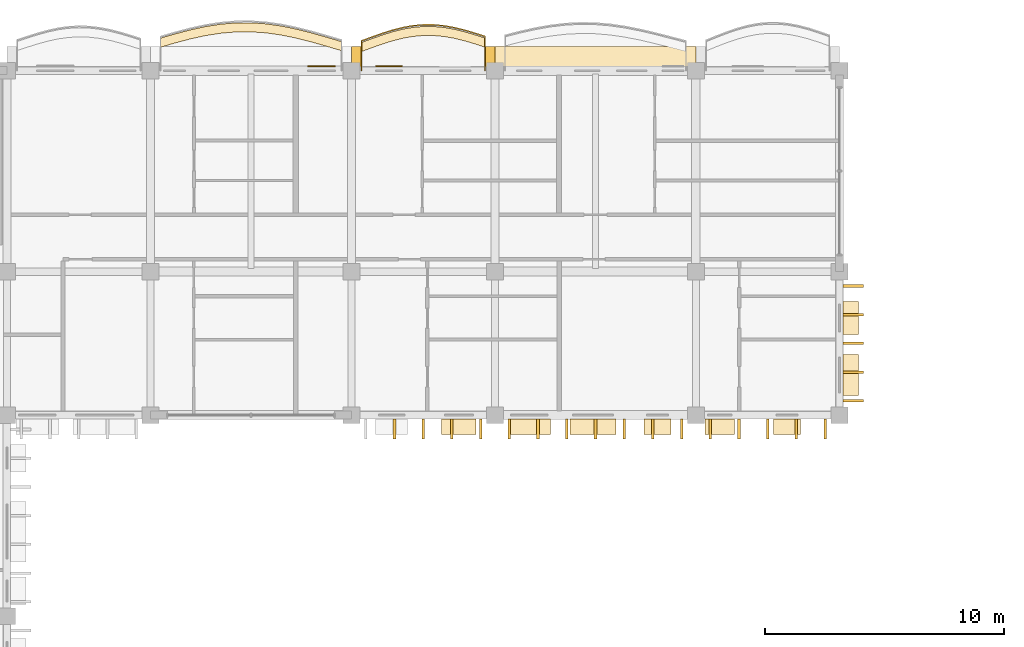
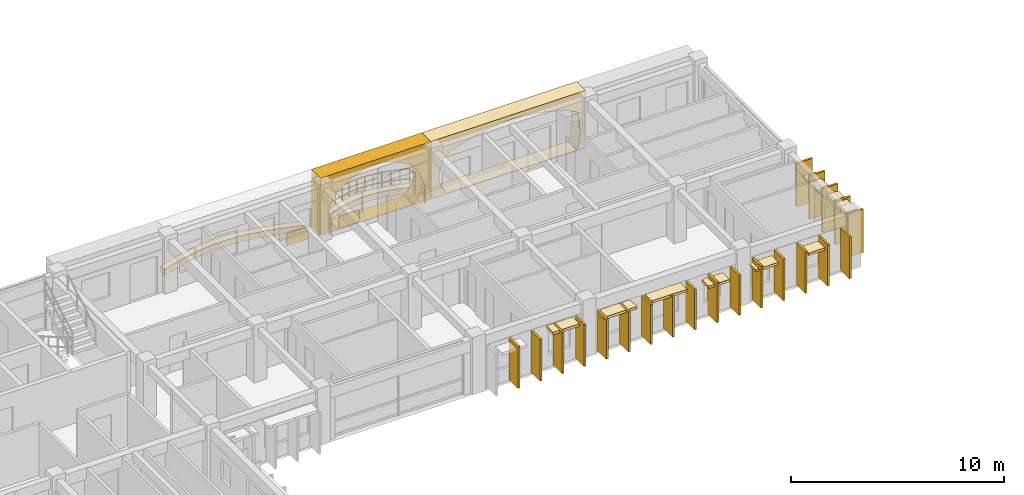
# One storey, part 59 of 76: 35 coverings, 1 railing.
"""IFC4 building model written with IfcOpenShell, lengths in metres."""

from ifc_helpers import new_model, si_unit, direction, frame, origin, origin_2d, place, context, subcontext, project, spatial, polyline, rectangle, outline, extrude, material, layer, layer_set, type_object, element, save


model = new_model("IFC4")

# Units and contexts
model_context = context("Model", 3, precision=1e-05, world=origin(), true_north=direction((0.0, 1.0)))
body_context = subcontext(model_context, "Body", "Model", "MODEL_VIEW")
ifc_project = project(units=[si_unit("LENGTHUNIT", "METRE"), si_unit("AREAUNIT", "SQUARE_METRE"), si_unit("VOLUMEUNIT", "CUBIC_METRE"), si_unit("PLANEANGLEUNIT", "RADIAN"), si_unit("MASSUNIT", "GRAM", prefix="KILO"), si_unit("THERMODYNAMICTEMPERATUREUNIT", "KELVIN")], contexts=[model_context])

# Site, building, storey
site_placement = place(None, origin())
site = spatial("IfcSite", under=ifc_project, at=site_placement, CompositionType="ELEMENT")
building_placement = place(site_placement, origin())
building = spatial("IfcBuilding", under=site, at=building_placement, Name="Thalorik Housing Commons", CompositionType="ELEMENT")
storey_placement = place(building_placement, frame((0.0, 0.0, 18.0)))
storey = spatial("IfcBuildingStorey", under=building, at=storey_placement, Name="L05", CompositionType="ELEMENT", Elevation=18.0)

# Coverings
ifc_material_1 = material(Name="Cobalt blue glazed ceramic facade tile panel", Category="masonry")
ifc_layer_1 = layer(ifc_material_1, 0.06005859375, Name="Cobalt blue glazed ceramic facade tile panel", Category="masonry")
ifc_layer_set_1 = layer_set([ifc_layer_1], Name="Cobalt blue glazed ceramic facade tile panel")
covering_type_1 = type_object("IfcCoveringType", Name="ARC-CLD-BLU-60", PredefinedType="CLADDING", material=ifc_layer_set_1)
covering_1_placement = place(storey_placement, frame((35.93994140625, 123.78759765625, 0.0498046875), z_axis=(0.0, 0.0, 1.0), x_axis=(-1.0, 0.0, 0.0)))
element("IfcCovering", 1, at=covering_1_placement, inside=storey, type_object=covering_type_1, Name="L05 De Stijl Recessed Window Spandrel 558", PredefinedType="CLADDING", context=body_context, shape_type="SweptSolid", body=[
    extrude(rectangle(XDim=1.14990234375, YDim=0.06005859375, at=origin_2d()), origin(), (0.0, 0.0, 1.0), 0.699951171875),
])
ifc_material_2 = material(Name="Precast concrete C40/50", Category="concrete")
ifc_layer_2 = layer(ifc_material_2, 0.85009765625, Name="Precast concrete C40/50", Category="concrete")
ifc_layer_set_2 = layer_set([ifc_layer_2], Name="Precast concrete C40/50")
covering_type_2 = type_object("IfcCoveringType", Name="ARC-CLD-CUSH-850", PredefinedType="CLADDING", material=ifc_layer_set_2)
covering_2_placement = place(storey_placement, frame((47.39990234375, 124.177490234375, 0.0), z_axis=(0.0, 0.0, 1.0), x_axis=(-1.0, 0.0, 0.0)))
element("IfcCovering", 2, at=covering_2_placement, inside=storey, type_object=covering_type_2, Name="L05 White Precast Curved Cushion Bay Frame 553", PredefinedType="CLADDING", context=body_context, shape_type="SweptSolid", body=[
    extrude(outline(polyline([(-4.199951171875, 0.0), (4.199951171875, 0.0), (4.199951171875, 3.300048828125), (-4.199951171875, 3.300048828125), (-4.199951171875, 0.0)]), holes=[polyline([(3.340087890625, 0.02490234375), (3.56787109375, 0.394287109375), (3.704345703125, 0.76318359375), (3.75, 1.132568359375), (3.704345703125, 1.501708984375), (3.56787109375, 1.870849609375), (3.340087890625, 2.239990234375), (2.749755859375, 2.4833984375), (2.159423828125, 2.6748046875), (1.569091796875, 2.82958984375), (0.97900390625, 2.94482421875), (0.388671875, 3.01611328125), (-0.20166015625, 3.0400390625), (-0.7919921875, 3.01611328125), (-1.38232421875, 2.94482421875), (-1.97265625, 2.82958984375), (-2.562744140625, 2.6748046875), (-3.153076171875, 2.4833984375), (-3.743408203125, 2.239990234375), (-3.83984375, 1.870849609375), (-3.897705078125, 1.501708984375), (-3.9169921875, 1.132568359375), (-3.897705078125, 0.76318359375), (-3.83984375, 0.394287109375), (-3.743408203125, 0.02490234375), (3.340087890625, 0.02490234375)])]), frame((0.0, 0.425048828125, 0.0), z_axis=(0.0, -1.0, 0.0), x_axis=(1.0, 0.0, 0.0)), (0.0, 0.0, 1.0), 0.85009765625),
])
covering_3_placement = place(storey_placement, frame((40.199951171875, 124.177490234375, 0.0), z_axis=(0.0, 0.0, 1.0), x_axis=(-1.0, 0.0, 0.0)))
element("IfcCovering", 3, at=covering_3_placement, inside=storey, type_object=covering_type_2, Name="L05 White Precast Curved Cushion Bay Frame 555", PredefinedType="CLADDING", context=body_context, shape_type="SweptSolid", body=[
    extrude(outline(polyline([(-3.0, 0.0), (3.0, 0.0), (3.0, 3.300048828125), (-3.0, 3.300048828125), (-3.0, 0.0)]), holes=[polyline([(2.0400390625, 0.02490234375), (2.3232421875, 0.387451171875), (2.493408203125, 0.75), (2.550048828125, 1.112548828125), (2.493408203125, 1.47509765625), (2.3232421875, 1.83740234375), (2.0400390625, 2.199951171875), (1.699951171875, 2.455810546875), (1.360107421875, 2.656494140625), (1.02001953125, 2.819091796875), (0.679931640625, 2.940185546875), (0.340087890625, 3.014892578125), (0.0, 3.0400390625), (-0.340087890625, 3.014892578125), (-0.679931640625, 2.940185546875), (-1.02001953125, 2.819091796875), (-1.360107421875, 2.656494140625), (-1.699951171875, 2.455810546875), (-2.0400390625, 2.199951171875), (-2.3232421875, 1.83740234375), (-2.493408203125, 1.47509765625), (-2.550048828125, 1.112548828125), (-2.493408203125, 0.75), (-2.3232421875, 0.387451171875), (-2.0400390625, 0.02490234375), (2.0400390625, 0.02490234375)])]), frame((0.0, 0.425048828125, 0.0), z_axis=(0.0, -1.0, 0.0), x_axis=(1.0, 0.0, 0.0)), (0.0, 0.0, 1.0), 0.85009765625),
])
ifc_layer_3 = layer(ifc_material_2, 0.85009765625, Name="Precast concrete C40/50", Category="concrete")
ifc_layer_set_3 = layer_set([ifc_layer_3], Name="Precast concrete C40/50")
covering_type_3 = type_object("IfcCoveringType", Name="ARC-CLD-FIN-850", PredefinedType="CLADDING", material=ifc_layer_set_3)
for number, where, z_axis, x_axis, name in (
    (4, (39.0, 108.62255859375, 0.0400390625), (0.0, 0.0, 1.0), (1.0, 0.0, 0.0), "L05 Courtyard Precast Vertical Brise-Soleil Fin 521"),
    (5, (40.199951171875, 108.62255859375, 0.0400390625), (0.0, 0.0, 1.0), (1.0, 0.0, 0.0), "L05 Courtyard Precast Vertical Brise-Soleil Fin 522"),
    (6, (41.39990234375, 108.62255859375, 0.0400390625), (0.0, 0.0, 1.0), (1.0, 0.0, 0.0), "L05 Courtyard Precast Vertical Brise-Soleil Fin 523"),
    (7, (42.60009765625, 108.62255859375, 0.0400390625), (0.0, 0.0, 1.0), (1.0, 0.0, 0.0), "L05 Courtyard Precast Vertical Brise-Soleil Fin 524"),
):
    element("IfcCovering", number, at=place(storey_placement, frame(where, z_axis=z_axis, x_axis=x_axis)), inside=storey, type_object=covering_type_3, Name=name, PredefinedType="CLADDING", context=body_context, shape_type="SweptSolid", body=[
        extrude(rectangle(XDim=0.110107421875, YDim=0.85009765625, at=origin_2d()), origin(), (0.0, 0.0, 1.0), 2.39501953125),
    ])
for number, where, z_axis, x_axis, name in (
    (8, (43.800048828125, 108.62255859375, 0.0400390625), (0.0, 0.0, 1.0), (1.0, 0.0, 0.0), "L05 Courtyard Precast Vertical Brise-Soleil Fin 527"),
    (9, (45.0, 108.62255859375, 0.0400390625), (0.0, 0.0, 1.0), (1.0, 0.0, 0.0), "L05 Courtyard Precast Vertical Brise-Soleil Fin 528"),
    (10, (46.199951171875, 108.62255859375, 0.0400390625), (0.0, 0.0, 1.0), (1.0, 0.0, 0.0), "L05 Courtyard Precast Vertical Brise-Soleil Fin 529"),
    (11, (47.39990234375, 108.62255859375, 0.0400390625), (0.0, 0.0, 1.0), (1.0, 0.0, 0.0), "L05 Courtyard Precast Vertical Brise-Soleil Fin 530"),
    (12, (48.60009765625, 108.62255859375, 0.0400390625), (0.0, 0.0, 1.0), (1.0, 0.0, 0.0), "L05 Courtyard Precast Vertical Brise-Soleil Fin 531"),
    (13, (49.800048828125, 108.62255859375, 0.0400390625), (0.0, 0.0, 1.0), (1.0, 0.0, 0.0), "L05 Courtyard Precast Vertical Brise-Soleil Fin 532"),
    (14, (51.0, 108.62255859375, 0.0400390625), (0.0, 0.0, 1.0), (1.0, 0.0, 0.0), "L05 Courtyard Precast Vertical Brise-Soleil Fin 533"),
):
    element("IfcCovering", number, at=place(storey_placement, frame(where, z_axis=z_axis, x_axis=x_axis)), inside=storey, type_object=covering_type_3, Name=name, PredefinedType="CLADDING", context=body_context, shape_type="SweptSolid", body=[
        extrude(rectangle(XDim=0.110107421875, YDim=0.85009765625, at=origin_2d()), origin(), (0.0, 0.0, 1.0), 2.294921875),
    ])
for number, where, z_axis, x_axis, name in (
    (15, (52.199951171875, 108.62255859375, 0.0400390625), (0.0, 0.0, 1.0), (1.0, 0.0, 0.0), "L05 Courtyard Precast Vertical Brise-Soleil Fin 537"),
    (16, (53.39990234375, 108.62255859375, 0.0400390625), (0.0, 0.0, 1.0), (1.0, 0.0, 0.0), "L05 Courtyard Precast Vertical Brise-Soleil Fin 538"),
    (17, (54.60009765625, 108.62255859375, 0.0400390625), (0.0, 0.0, 1.0), (1.0, 0.0, 0.0), "L05 Courtyard Precast Vertical Brise-Soleil Fin 539"),
    (18, (55.800048828125, 108.62255859375, 0.0400390625), (0.0, 0.0, 1.0), (1.0, 0.0, 0.0), "L05 Courtyard Precast Vertical Brise-Soleil Fin 540"),
    (19, (57.0, 108.62255859375, 0.0400390625), (0.0, 0.0, 1.0), (1.0, 0.0, 0.0), "L05 Courtyard Precast Vertical Brise-Soleil Fin 541"),
):
    element("IfcCovering", number, at=place(storey_placement, frame(where, z_axis=z_axis, x_axis=x_axis)), inside=storey, type_object=covering_type_3, Name=name, PredefinedType="CLADDING", context=body_context, shape_type="SweptSolid", body=[
        extrude(rectangle(XDim=0.110107421875, YDim=0.85009765625, at=origin_2d()), origin(), (0.0, 0.0, 1.0), 2.39501953125),
    ])
for number, where, z_axis, x_axis, name in (
    (20, (58.177490234375, 109.800048828125, 0.0400390625), (0.0, 0.0, 1.0), (0.0, 1.0, 0.0), "L05 Courtyard Precast Vertical Brise-Soleil Fin 544"),
    (21, (58.177490234375, 111.0, 0.0400390625), (0.0, 0.0, 1.0), (0.0, 1.0, 0.0), "L05 Courtyard Precast Vertical Brise-Soleil Fin 545"),
    (22, (58.177490234375, 112.199951171875, 0.0400390625), (0.0, 0.0, 1.0), (0.0, 1.0, 0.0), "L05 Courtyard Precast Vertical Brise-Soleil Fin 546"),
    (23, (58.177490234375, 113.39990234375, 0.0400390625), (0.0, 0.0, 1.0), (0.0, 1.0, 0.0), "L05 Courtyard Precast Vertical Brise-Soleil Fin 547"),
    (24, (58.177490234375, 114.60009765625, 0.0400390625), (0.0, 0.0, 1.0), (0.0, 1.0, 0.0), "L05 Courtyard Precast Vertical Brise-Soleil Fin 548"),
):
    element("IfcCovering", number, at=place(storey_placement, frame(where, z_axis=z_axis, x_axis=x_axis)), inside=storey, type_object=covering_type_3, Name=name, PredefinedType="CLADDING", context=body_context, shape_type="SweptSolid", body=[
        extrude(rectangle(XDim=0.110107421875, YDim=0.85009765625, at=origin_2d()), origin(), (0.0, 0.0, 1.0), 2.4951171875),
    ])
ifc_layer_4 = layer(ifc_material_2, 0.64990234375, Name="Precast concrete C40/50", Category="concrete")
ifc_layer_set_4 = layer_set([ifc_layer_4], Name="Precast concrete C40/50")
covering_type_4 = type_object("IfcCoveringType", Name="ARC-CLD-HOOD-650", PredefinedType="CLADDING", material=ifc_layer_set_4)
covering_4_placement = place(storey_placement, frame((41.6923828125, 108.722412109375, 2.2900390625), z_axis=(0.0, 0.0, 1.0), x_axis=(1.0, 0.0, 0.0)))
element("IfcCovering", 25, at=covering_4_placement, inside=storey, type_object=covering_type_4, Name="L05 Courtyard Precast Window Sun-Hood 526", PredefinedType="CLADDING", context=body_context, shape_type="SweptSolid", body=[
    extrude(rectangle(XDim=1.43994140625, YDim=0.64990234375, at=origin_2d()), origin(), (0.0, 0.0, 1.0), 0.139892578125),
])
covering_5_placement = place(storey_placement, frame((44.635009765625, 108.722412109375, 2.18994140625), z_axis=(0.0, 0.0, 1.0), x_axis=(1.0, 0.0, 0.0)))
element("IfcCovering", 26, at=covering_5_placement, inside=storey, type_object=covering_type_4, Name="L05 Courtyard Precast Window Sun-Hood 534", PredefinedType="CLADDING", context=body_context, shape_type="SweptSolid", body=[
    extrude(rectangle(XDim=1.7900390625, YDim=0.64990234375, at=origin_2d()), origin(), (0.0, 0.0, 1.0), 0.139892578125),
])
covering_6_placement = place(storey_placement, frame((47.297607421875, 108.722412109375, 2.22509765625), z_axis=(0.0, 0.0, 1.0), x_axis=(1.0, 0.0, 0.0)))
element("IfcCovering", 27, at=covering_6_placement, inside=storey, type_object=covering_type_4, Name="L05 Courtyard Precast Window Sun-Hood 535", PredefinedType="CLADDING", context=body_context, shape_type="SweptSolid", body=[
    extrude(rectangle(XDim=1.919921875, YDim=0.64990234375, at=origin_2d()), origin(), (0.0, 0.0, 1.0), 0.139892578125),
])
covering_7_placement = place(storey_placement, frame((49.992431640625, 108.722412109375, 1.990234375), z_axis=(0.0, 0.0, 1.0), x_axis=(1.0, 0.0, 0.0)))
element("IfcCovering", 28, at=covering_7_placement, inside=storey, type_object=covering_type_4, Name="L05 Courtyard Precast Window Sun-Hood 536", PredefinedType="CLADDING", context=body_context, shape_type="SweptSolid", body=[
    extrude(rectangle(XDim=1.139892578125, YDim=0.64990234375, at=origin_2d()), origin(), (0.0, 0.0, 1.0), 0.139892578125),
])
covering_8_placement = place(storey_placement, frame((52.60009765625, 108.722412109375, 2.0400390625), z_axis=(0.0, 0.0, 1.0), x_axis=(1.0, 0.0, 0.0)))
element("IfcCovering", 29, at=covering_8_placement, inside=storey, type_object=covering_type_4, Name="L05 Courtyard Precast Window Sun-Hood 542", PredefinedType="CLADDING", context=body_context, shape_type="SweptSolid", body=[
    extrude(rectangle(XDim=1.239990234375, YDim=0.64990234375, at=origin_2d()), origin(), (0.0, 0.0, 1.0), 0.139892578125),
])
covering_9_placement = place(storey_placement, frame((55.409912109375, 108.722412109375, 1.990234375), z_axis=(0.0, 0.0, 1.0), x_axis=(1.0, 0.0, 0.0)))
element("IfcCovering", 30, at=covering_9_placement, inside=storey, type_object=covering_type_4, Name="L05 Courtyard Precast Window Sun-Hood 543", PredefinedType="CLADDING", context=body_context, shape_type="SweptSolid", body=[
    extrude(rectangle(XDim=1.139892578125, YDim=0.64990234375, at=origin_2d()), origin(), (0.0, 0.0, 1.0), 0.139892578125),
])
covering_10_placement = place(storey_placement, frame((58.077392578125, 110.87548828125, 2.31005859375), z_axis=(0.0, 0.0, 1.0), x_axis=(0.0, 1.0, 0.0)))
element("IfcCovering", 31, at=covering_10_placement, inside=storey, type_object=covering_type_4, Name="L05 Courtyard Precast Window Sun-Hood 549", PredefinedType="CLADDING", context=body_context, shape_type="SweptSolid", body=[
    extrude(rectangle(XDim=1.719970703125, YDim=0.64990234375, at=origin_2d()), origin(), (0.0, 0.0, 1.0), 0.139892578125),
])
covering_11_placement = place(storey_placement, frame((58.077392578125, 113.26513671875, 2.0400390625), z_axis=(0.0, 0.0, 1.0), x_axis=(0.0, 1.0, 0.0)))
element("IfcCovering", 32, at=covering_11_placement, inside=storey, type_object=covering_type_4, Name="L05 Courtyard Precast Window Sun-Hood 550", PredefinedType="CLADDING", context=body_context, shape_type="SweptSolid", body=[
    extrude(rectangle(XDim=1.389892578125, YDim=0.64990234375, at=origin_2d()), origin(), (0.0, 0.0, 1.0), 0.139892578125),
])
ifc_material_3 = material(Name="Terracotta red mineral fibre-cement panel", Category="masonry")
ifc_layer_5 = layer(ifc_material_3, 0.054931640625, Name="Terracotta red mineral fibre-cement panel", Category="masonry")
ifc_layer_set_5 = layer_set([ifc_layer_5], Name="Terracotta red mineral fibre-cement panel")
covering_type_5 = type_object("IfcCoveringType", Name="ARC-CLD-RED-55", PredefinedType="CLADDING", material=ifc_layer_set_5)
covering_12_placement = place(storey_placement, frame((38.7724609375, 123.784912109375, 0.0498046875), z_axis=(0.0, 0.0, 1.0), x_axis=(-1.0, 0.0, 0.0)))
element("IfcCovering", 33, at=covering_12_placement, inside=storey, type_object=covering_type_5, Name="L05 De Stijl Recessed Window Spandrel 556", PredefinedType="CLADDING", context=body_context, shape_type="SweptSolid", body=[
    extrude(rectangle(XDim=1.10009765625, YDim=0.054931640625, at=origin_2d()), origin(), (0.0, 0.0, 1.0), 0.699951171875),
])
ifc_material_4 = material(Name="Planted vegetated substrate and terracotta trough", Category="masonry")
ifc_layer_6 = layer(ifc_material_4, 0.340087890625, Name="Planted vegetated substrate and terracotta trough", Category="masonry")
ifc_layer_set_6 = layer_set([ifc_layer_6], Name="Planted vegetated substrate and terracotta trough")
covering_type_6 = type_object("IfcCoveringType", Name="ARC-COV-PLANTER", PredefinedType="USERDEFINED", material=ifc_layer_set_6)
covering_13_placement = place(storey_placement, origin())
element("IfcCovering", 34, at=covering_13_placement, inside=storey, type_object=covering_type_6, Name="L05 Balcony Slab-Edge Planted Trough 5348", ObjectType="PLANTER", PredefinedType="USERDEFINED", context=body_context, shape_type="SweptSolid", body=[
    extrude(outline(polyline([(36.780029296875, 124.8193359375), (36.14990234375, 125.0048828125), (35.52001953125, 125.183349609375), (34.889892578125, 125.342529296875), (34.260009765625, 125.4716796875), (33.6298828125, 125.561279296875), (33.0, 125.60546875), (32.3701171875, 125.6005859375), (31.739990234375, 125.54736328125), (31.110107421875, 125.448974609375), (30.47998046875, 125.3125), (29.85009765625, 125.14697265625), (29.219970703125, 124.9638671875), (29.219970703125, 124.583740234375), (29.85009765625, 124.766845703125), (30.47998046875, 124.932373046875), (31.110107421875, 125.069091796875), (31.739990234375, 125.16748046875), (32.3701171875, 125.220703125), (33.0, 125.225341796875), (33.6298828125, 125.181396484375), (34.260009765625, 125.091796875), (34.889892578125, 124.962646484375), (35.52001953125, 124.80322265625), (36.14990234375, 124.624755859375), (36.780029296875, 124.439453125), (36.780029296875, 124.8193359375)])), origin(), (0.0, 0.0, 1.0), 0.340087890625),
])
covering_14_placement = place(storey_placement, origin())
element("IfcCovering", 35, at=covering_14_placement, inside=storey, type_object=covering_type_6, Name="L05 Balcony Slab-Edge Planted Trough 5349", ObjectType="PLANTER", PredefinedType="USERDEFINED", context=body_context, shape_type="SweptSolid", body=[
    extrude(outline(polyline([(42.780029296875, 124.96630859375), (42.35009765625, 125.105224609375), (41.919921875, 125.231689453125), (41.489990234375, 125.33642578125), (41.06005859375, 125.411376953125), (40.6298828125, 125.450927734375), (40.199951171875, 125.451416015625), (39.77001953125, 125.41259765625), (39.340087890625, 125.3359375), (38.909912109375, 125.226318359375), (38.47998046875, 125.09130859375), (38.050048828125, 124.939208984375), (37.6201171875, 124.780517578125), (37.6201171875, 124.400390625), (38.050048828125, 124.55908203125), (38.47998046875, 124.711181640625), (38.909912109375, 124.846435546875), (39.340087890625, 124.955810546875), (39.77001953125, 125.032470703125), (40.199951171875, 125.071533203125), (40.6298828125, 125.07080078125), (41.06005859375, 125.031494140625), (41.489990234375, 124.956298828125), (41.919921875, 124.851806640625), (42.35009765625, 124.725341796875), (42.780029296875, 124.58642578125), (42.780029296875, 124.96630859375)])), origin(), (0.0, 0.0, 1.0), 0.340087890625),
])

# Railing
ifc_material_5 = material(Name="Steel S355", Category="steel")
railing_type = type_object("IfcRailingType", Name="ARC-RL-BAL-115", PredefinedType="BALUSTRADE", material=ifc_material_5)
railing_placement = place(storey_placement, frame((42.780029296875, 123.60009765625, 0.0)))
element("IfcRailing", 36, at=railing_placement, inside=storey, type_object=railing_type, Name="L05 Cushion Balcony Guardrail 33", PredefinedType="BALUSTRADE", context=body_context, shape_type="SweptSolid", body=[
    extrude(rectangle(XDim=0.050048828125, YDim=0.050048828125, at=origin_2d()), frame((0.0, 0.0, 1.125), z_axis=(0.0, 1.0, 0.0), x_axis=(-1.0, 0.0, 0.0)), (0.0, 0.0, 1.0), 1.436279296875),
    extrude(rectangle(XDim=0.050048828125, YDim=0.050048828125, at=origin_2d()), frame((0.0, 0.0, 0.5498046875), z_axis=(0.0, 1.0, 0.0), x_axis=(-1.0, 0.0, 0.0)), (0.0, 0.0, 1.0), 1.436279296875),
    extrude(rectangle(XDim=0.050048828125, YDim=0.050048828125, at=origin_2d()), frame((0.0, 1.436279296875, 1.125), z_axis=(-0.951560814665, 0.307460592586, 0.0), x_axis=(-0.307460592586, -0.951560814665, 0.0)), (0.0, 0.0, 1.0), 0.451904296875),
    extrude(rectangle(XDim=0.050048828125, YDim=0.050048828125, at=origin_2d()), frame((0.0, 1.436279296875, 0.5498046875), z_axis=(-0.951560814665, 0.307460592586, 0.0), x_axis=(-0.307460592586, -0.951560814665, 0.0)), (0.0, 0.0, 1.0), 0.451904296875),
    extrude(rectangle(XDim=0.050048828125, YDim=0.050048828125, at=origin_2d()), frame((-0.429931640625, 1.5751953125, 1.125), z_axis=(-0.959400175534, 0.282048405747, 0.0), x_axis=(-0.282048405747, -0.959400175534, 0.0)), (0.0, 0.0, 1.0), 0.448486328125),
    extrude(rectangle(XDim=0.050048828125, YDim=0.050048828125, at=origin_2d()), frame((-0.429931640625, 1.5751953125, 0.5498046875), z_axis=(-0.959400175534, 0.282048405747, 0.0), x_axis=(-0.282048405747, -0.959400175534, 0.0)), (0.0, 0.0, 1.0), 0.448486328125),
    extrude(rectangle(XDim=0.050048828125, YDim=0.050048828125, at=origin_2d()), frame((-0.860107421875, 1.70166015625, 1.125), z_axis=(-0.971585356615, 0.236689448034, 0.0), x_axis=(-0.236689448034, -0.971585356615, 0.0)), (0.0, 0.0, 1.0), 0.442626953125),
    extrude(rectangle(XDim=0.050048828125, YDim=0.050048828125, at=origin_2d()), frame((-0.860107421875, 1.70166015625, 0.5498046875), z_axis=(-0.971585356615, 0.236689448034, 0.0), x_axis=(-0.236689448034, -0.971585356615, 0.0)), (0.0, 0.0, 1.0), 0.442626953125),
    extrude(rectangle(XDim=0.050048828125, YDim=0.050048828125, at=origin_2d()), frame((-1.2900390625, 1.806396484375, 1.125), z_axis=(-0.985141873648, 0.171742507217, 0.0), x_axis=(-0.171742507217, -0.985141873648, 0.0)), (0.0, 0.0, 1.0), 0.4365234375),
    extrude(rectangle(XDim=0.050048828125, YDim=0.050048828125, at=origin_2d()), frame((-1.2900390625, 1.806396484375, 0.5498046875), z_axis=(-0.985141873648, 0.171742507217, 0.0), x_axis=(-0.171742507217, -0.985141873648, 0.0)), (0.0, 0.0, 1.0), 0.4365234375),
    extrude(rectangle(XDim=0.050048828125, YDim=0.050048828125, at=origin_2d()), frame((-1.719970703125, 1.88134765625, 1.125), z_axis=(-0.99580003694, 0.09155482746, 0.0), x_axis=(-0.09155482746, -0.99580003694, 0.0)), (0.0, 0.0, 1.0), 0.431884765625),
    extrude(rectangle(XDim=0.050048828125, YDim=0.050048828125, at=origin_2d()), frame((-1.719970703125, 1.88134765625, 0.5498046875), z_axis=(-0.99580003694, 0.09155482746, 0.0), x_axis=(-0.09155482746, -0.99580003694, 0.0)), (0.0, 0.0, 1.0), 0.431884765625),
    extrude(rectangle(XDim=0.050048828125, YDim=0.050048828125, at=origin_2d()), frame((-2.150146484375, 1.9208984375, 1.125), z_axis=(-0.999999355073, 0.001135717609, 0.0), x_axis=(-0.001135717609, -0.999999355073, 0.0)), (0.0, 0.0, 1.0), 0.429931640625),
    extrude(rectangle(XDim=0.050048828125, YDim=0.050048828125, at=origin_2d()), frame((-2.150146484375, 1.9208984375, 0.5498046875), z_axis=(-0.999999355073, 0.001135717609, 0.0), x_axis=(-0.001135717609, -0.999999355073, 0.0)), (0.0, 0.0, 1.0), 0.429931640625),
    extrude(rectangle(XDim=0.050048828125, YDim=0.050048828125, at=origin_2d()), frame((-2.580078125, 1.92138671875, 1.125), z_axis=(-0.995897840652, -0.090484755539, 0.0), x_axis=(0.090484755539, -0.995897840652, 0.0)), (0.0, 0.0, 1.0), 0.431640625),
    extrude(rectangle(XDim=0.050048828125, YDim=0.050048828125, at=origin_2d()), frame((-2.580078125, 1.92138671875, 0.5498046875), z_axis=(-0.995897840652, -0.090484755539, 0.0), x_axis=(0.090484755539, -0.995897840652, 0.0)), (0.0, 0.0, 1.0), 0.431640625),
    extrude(rectangle(XDim=0.050048828125, YDim=0.050048828125, at=origin_2d()), frame((-3.010009765625, 1.88232421875, 1.125), z_axis=(-0.984568930443, -0.174997203423, 0.0), x_axis=(0.174997203423, -0.984568930443, 0.0)), (0.0, 0.0, 1.0), 0.436767578125),
    extrude(rectangle(XDim=0.050048828125, YDim=0.050048828125, at=origin_2d()), frame((-3.010009765625, 1.88232421875, 0.5498046875), z_axis=(-0.984568930443, -0.174997203423, 0.0), x_axis=(0.174997203423, -0.984568930443, 0.0)), (0.0, 0.0, 1.0), 0.436767578125),
    extrude(rectangle(XDim=0.050048828125, YDim=0.050048828125, at=origin_2d()), frame((-3.43994140625, 1.805908203125, 1.125), z_axis=(-0.96903260007, -0.246932824876, 0.0), x_axis=(0.246932824876, -0.96903260007, 0.0)), (0.0, 0.0, 1.0), 0.44384765625),
    extrude(rectangle(XDim=0.050048828125, YDim=0.050048828125, at=origin_2d()), frame((-3.43994140625, 1.805908203125, 0.5498046875), z_axis=(-0.96903260007, -0.246932824876, 0.0), x_axis=(0.246932824876, -0.96903260007, 0.0)), (0.0, 0.0, 1.0), 0.44384765625),
    extrude(rectangle(XDim=0.050048828125, YDim=0.050048828125, at=origin_2d()), frame((-3.8701171875, 1.6962890625, 1.125), z_axis=(-0.953909569084, -0.300094208559, 0.0), x_axis=(0.300094208559, -0.953909569084, 0.0)), (0.0, 0.0, 1.0), 0.45068359375),
    extrude(rectangle(XDim=0.050048828125, YDim=0.050048828125, at=origin_2d()), frame((-3.8701171875, 1.6962890625, 0.5498046875), z_axis=(-0.953909569084, -0.300094208559, 0.0), x_axis=(0.300094208559, -0.953909569084, 0.0)), (0.0, 0.0, 1.0), 0.45068359375),
    extrude(rectangle(XDim=0.050048828125, YDim=0.050048828125, at=origin_2d()), frame((-4.300048828125, 1.56103515625, 1.125), z_axis=(-0.942742991297, -0.333520092889, 0.0), x_axis=(0.333520092889, -0.942742991297, 0.0)), (0.0, 0.0, 1.0), 0.4560546875),
    extrude(rectangle(XDim=0.050048828125, YDim=0.050048828125, at=origin_2d()), frame((-4.300048828125, 1.56103515625, 0.5498046875), z_axis=(-0.942742991297, -0.333520092889, 0.0), x_axis=(0.333520092889, -0.942742991297, 0.0)), (0.0, 0.0, 1.0), 0.4560546875),
    extrude(rectangle(XDim=0.050048828125, YDim=0.050048828125, at=origin_2d()), frame((-4.72998046875, 1.408935546875, 1.125), z_axis=(-0.938133751887, -0.346273105467, 0.0), x_axis=(0.346273105467, -0.938133751887, 0.0)), (0.0, 0.0, 1.0), 0.458251953125),
    extrude(rectangle(XDim=0.050048828125, YDim=0.050048828125, at=origin_2d()), frame((-4.72998046875, 1.408935546875, 0.5498046875), z_axis=(-0.938133751887, -0.346273105467, 0.0), x_axis=(0.346273105467, -0.938133751887, 0.0)), (0.0, 0.0, 1.0), 0.458251953125),
    extrude(rectangle(XDim=0.050048828125, YDim=0.050048828125, at=origin_2d()), frame((-5.159912109375, 1.250244140625, 1.125), z_axis=(0.0, -1.0, 0.0), x_axis=(1.0, 0.0, 0.0)), (0.0, 0.0, 1.0), 1.250244140625),
    extrude(rectangle(XDim=0.050048828125, YDim=0.050048828125, at=origin_2d()), frame((-5.159912109375, 1.250244140625, 0.5498046875), z_axis=(0.0, -1.0, 0.0), x_axis=(1.0, 0.0, 0.0)), (0.0, 0.0, 1.0), 1.250244140625),
    extrude(rectangle(XDim=0.0419921875, YDim=0.0419921875, at=origin_2d()), origin(), (0.0, 0.0, 1.0), 1.099853515625),
    extrude(rectangle(XDim=0.0419921875, YDim=0.0419921875, at=origin_2d()), frame((0.0, 1.436279296875, 0.0)), (0.0, 0.0, 1.0), 1.099853515625),
    extrude(rectangle(XDim=0.0419921875, YDim=0.0419921875, at=origin_2d()), frame((-0.429931640625, 1.5751953125, 0.0)), (0.0, 0.0, 1.0), 1.099853515625),
    extrude(rectangle(XDim=0.0419921875, YDim=0.0419921875, at=origin_2d()), frame((-0.860107421875, 1.70166015625, 0.0)), (0.0, 0.0, 1.0), 1.099853515625),
    extrude(rectangle(XDim=0.0419921875, YDim=0.0419921875, at=origin_2d()), frame((-1.2900390625, 1.806396484375, 0.0)), (0.0, 0.0, 1.0), 1.099853515625),
    extrude(rectangle(XDim=0.0419921875, YDim=0.0419921875, at=origin_2d()), frame((-1.719970703125, 1.88134765625, 0.0)), (0.0, 0.0, 1.0), 1.099853515625),
    extrude(rectangle(XDim=0.0419921875, YDim=0.0419921875, at=origin_2d()), frame((-2.150146484375, 1.9208984375, 0.0)), (0.0, 0.0, 1.0), 1.099853515625),
    extrude(rectangle(XDim=0.0419921875, YDim=0.0419921875, at=origin_2d()), frame((-2.580078125, 1.92138671875, 0.0)), (0.0, 0.0, 1.0), 1.099853515625),
    extrude(rectangle(XDim=0.0419921875, YDim=0.0419921875, at=origin_2d()), frame((-3.010009765625, 1.88232421875, 0.0)), (0.0, 0.0, 1.0), 1.099853515625),
    extrude(rectangle(XDim=0.0419921875, YDim=0.0419921875, at=origin_2d()), frame((-3.43994140625, 1.805908203125, 0.0)), (0.0, 0.0, 1.0), 1.099853515625),
    extrude(rectangle(XDim=0.0419921875, YDim=0.0419921875, at=origin_2d()), frame((-3.8701171875, 1.6962890625, 0.0)), (0.0, 0.0, 1.0), 1.099853515625),
    extrude(rectangle(XDim=0.0419921875, YDim=0.0419921875, at=origin_2d()), frame((-4.300048828125, 1.56103515625, 0.0)), (0.0, 0.0, 1.0), 1.099853515625),
    extrude(rectangle(XDim=0.0419921875, YDim=0.0419921875, at=origin_2d()), frame((-4.72998046875, 1.408935546875, 0.0)), (0.0, 0.0, 1.0), 1.099853515625),
    extrude(rectangle(XDim=0.0419921875, YDim=0.0419921875, at=origin_2d()), frame((-5.159912109375, 1.250244140625, 0.0)), (0.0, 0.0, 1.0), 1.099853515625),
    extrude(rectangle(XDim=0.0419921875, YDim=0.0419921875, at=origin_2d()), frame((-5.159912109375, 0.0, 0.0)), (0.0, 0.0, 1.0), 1.099853515625),
])

save(model, "model.ifc")
